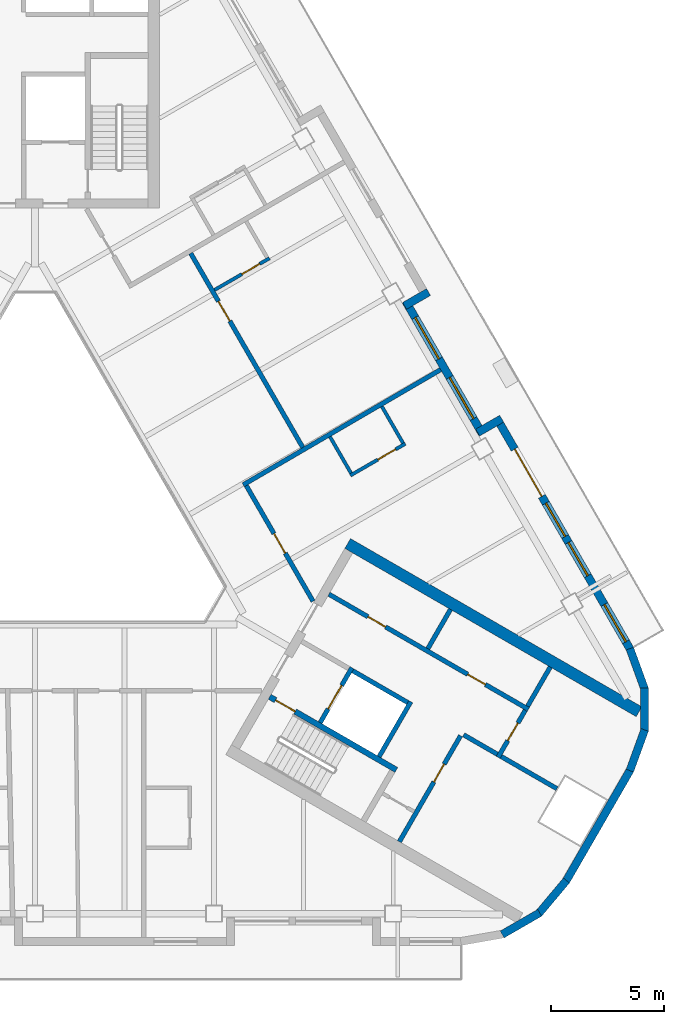
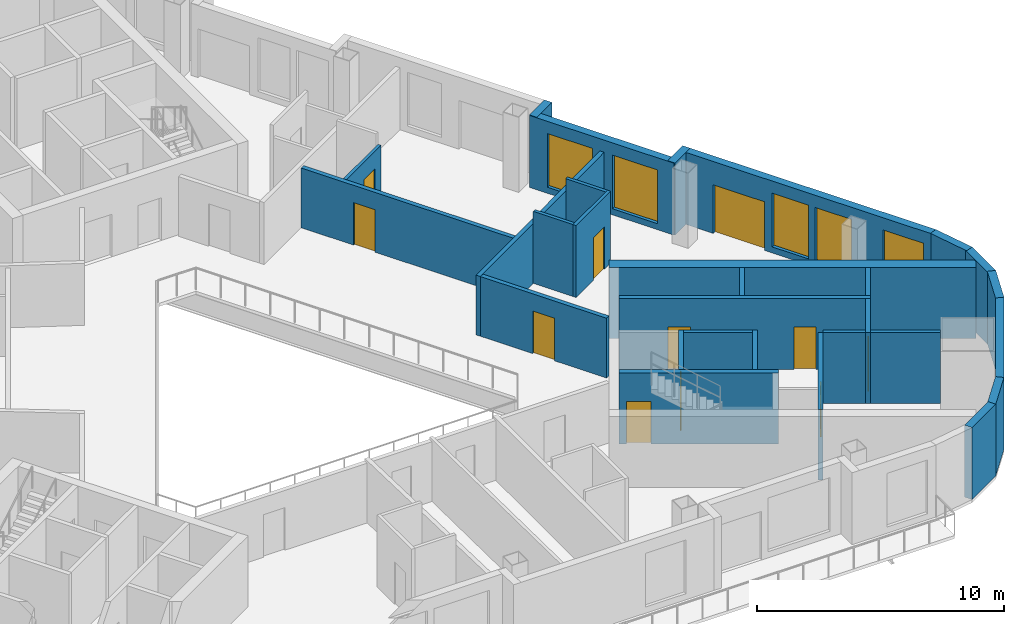
# One storey, part 5 of 13: 29 walls, 11 doors, 5 windows, 16 openings.
"""IFC4 building model written with IfcOpenShell, lengths in metres."""

import ifcopenshell
import ifcopenshell.guid

model = None  # the IFC model being written
_history = None  # IfcOwnerHistory: only IFC2X3 demands one
_inside = {}  # id of a spatial element -> (the spatial element, [elements in it])
_under = {}  # id of a project, library or spatial element -> (it, [spatial elements below it])
_declared = {}  # id of a project -> (the project, [libraries it declares])
_typed = {}  # id of a type object -> (the type object, [elements of that type])
_made_of = {}  # id of a material, layer set ... -> (it, [elements and type objects made of it])


def new_model(schema):
    """Start an empty IFC model of exactly this schema.

    Asked for "IFC4X3", IfcOpenShell would pick the latest addendum, in which some entities
    have other attributes; the version numbers below select the first issue.
    IFC2X3 requires an IfcOwnerHistory on every rooted entity: one is made here for all.
    """
    global model, _history
    if schema == "IFC4X3":
        model = ifcopenshell.file(schema_version=(4, 3, 0, 0))
    else:
        model = ifcopenshell.file(schema=schema)
    _inside.clear()
    _under.clear()
    _declared.clear()
    _typed.clear()
    _made_of.clear()
    _history = None
    if model.schema == "IFC2X3":
        org = make("IfcOrganization", Name="unknown")
        user = make(
            "IfcPersonAndOrganization",
            ThePerson=make("IfcPerson", FamilyName="unknown"),
            TheOrganization=org,
        )
        app = make(
            "IfcApplication",
            ApplicationDeveloper=org,
            Version="unknown",
            ApplicationFullName="unknown",
            ApplicationIdentifier="unknown",
        )
        _history = make(
            "IfcOwnerHistory",
            OwningUser=user,
            OwningApplication=app,
            ChangeAction="ADDED",
            CreationDate=0,
        )
    return model


def make(cls, **values):
    """One entity of the class cls with the attributes given. An attribute that is None is left unset."""
    return model.create_entity(
        cls, **{name: value for name, value in values.items() if value is not None}
    )


def rooted(cls, **values):
    """An entity with a GlobalId (a new one), such as an element, a storey or a relation."""
    return make(cls, GlobalId=ifcopenshell.guid.new(), OwnerHistory=_history, **values)


def si_unit(unit_type, name, prefix=None):
    """IfcSIUnit, for example si_unit("LENGTHUNIT", "METRE", prefix="MILLI")."""
    return make("IfcSIUnit", UnitType=unit_type, Prefix=prefix, Name=name)


def assignment(units):
    """IfcUnitAssignment: the units of a project."""
    return None if units is None else make("IfcUnitAssignment", Units=units)


def point(xyz):
    """IfcCartesianPoint."""
    return None if xyz is None else make("IfcCartesianPoint", Coordinates=xyz)


def direction(xyz):
    """IfcDirection."""
    return None if xyz is None else make("IfcDirection", DirectionRatios=xyz)


def frame(location, z_axis=None, x_axis=None):
    """IfcAxis2Placement3D, a coordinate frame: its origin and axes. An axis left out is left unset."""
    return make(
        "IfcAxis2Placement3D",
        Location=point(location),
        Axis=direction(z_axis),
        RefDirection=direction(x_axis),
    )


def frame_2d(location, x_axis=None):
    """IfcAxis2Placement2D, a coordinate frame in the plane: its origin and x axis."""
    return make(
        "IfcAxis2Placement2D", Location=point(location), RefDirection=direction(x_axis)
    )


def origin():
    """The frame at (0, 0, 0) with its axes left unset."""
    return frame((0.0, 0.0, 0.0))


def place(relative_to, where):
    """IfcLocalPlacement: puts the frame where relative to a parent placement (None: the world)."""
    return make(
        "IfcLocalPlacement", PlacementRelTo=relative_to, RelativePlacement=where
    )


def context(
    kind, dimensions, precision=None, world=None, true_north=None, identifier=None
):
    """IfcGeometricRepresentationContext, for example the 3D "Model" context."""
    return make(
        "IfcGeometricRepresentationContext",
        ContextIdentifier=identifier,
        ContextType=kind,
        CoordinateSpaceDimension=dimensions,
        Precision=precision,
        WorldCoordinateSystem=world,
        TrueNorth=true_north,
    )


def subcontext(parent, identifier, kind, view, scale=None):
    """IfcGeometricRepresentationSubContext, for example "Body" below "Model"."""
    return make(
        "IfcGeometricRepresentationSubContext",
        ContextIdentifier=identifier,
        ContextType=kind,
        ParentContext=parent,
        TargetScale=scale,
        TargetView=view,
    )


def project(units=None, contexts=None):
    """IfcProject with its units and contexts."""
    return rooted(
        "IfcProject",
        Name="project",
        RepresentationContexts=contexts,
        UnitsInContext=assignment(units),
    )


def spatial(cls, under=None, at=None, **own):
    """A site, building, storey or space (cls), placed at a placement, below another one or the project."""
    s = rooted(cls, ObjectPlacement=at, **own)
    if under is not None:
        _under.setdefault(under.id(), (under, []))[1].append(s)
    return s


def profile(cls, at=None, kind="AREA", **sizes):
    """A parametric profile (cls). Its sizes go by their IFC names, for example OverallWidth=200.0."""
    return make(cls, ProfileType=kind, Position=at, **sizes)


def rectangle(**sizes):
    """IfcRectangleProfileDef."""
    return profile("IfcRectangleProfileDef", **sizes)


def extrude(swept, where, along, depth):
    """IfcExtrudedAreaSolid: the profile swept, set in the frame where, extruded along a direction by depth."""
    return make(
        "IfcExtrudedAreaSolid",
        SweptArea=swept,
        Position=where,
        ExtrudedDirection=direction(along),
        Depth=depth,
    )


def shape(context_of_items, identifier, shape_type, items):
    """IfcShapeRepresentation: the items that make up one representation, for example the "Body"."""
    return make(
        "IfcShapeRepresentation",
        ContextOfItems=context_of_items,
        RepresentationIdentifier=identifier,
        RepresentationType=shape_type,
        Items=items,
    )


def material(Name=None, Category=None):
    """IfcMaterial."""
    return make("IfcMaterial", Name=Name, Category=Category)


def layer(
    of_material, thickness, ventilated=None, Name=None, Category=None, Priority=None
):
    """IfcMaterialLayer: one layer of a wall or slab, of a material (None: an air gap)."""
    return make(
        "IfcMaterialLayer",
        Material=of_material,
        LayerThickness=thickness,
        IsVentilated=ventilated,
        Name=Name,
        Category=Category,
        Priority=Priority,
    )


def layer_set(layers, Name=None):
    """IfcMaterialLayerSet."""
    return make("IfcMaterialLayerSet", MaterialLayers=layers, LayerSetName=Name)


def made_of(thing, what):
    """Note that an element or type object is made of a material, layer set ...; save() writes the relation."""
    if what is not None:
        _made_of.setdefault(what.id(), (what, []))[1].append(thing)
    return thing


def type_object(cls, material=None, **own):
    """A type object (cls), such as IfcWallType, which elements share."""
    return made_of(rooted(cls, **own), material)


def element(
    cls,
    number,
    at=None,
    inside=None,
    cuts=None,
    type_object=None,
    material=None,
    context=None,
    identifier="Body",
    shape_type=None,
    held_by="IfcProductDefinitionShape",
    body=None,
    shapes=None,
    **own,
):
    """One element of the class cls, such as IfcWall. Its Tag is "e" and its number.

    at: its placement. inside: the storey or other place that contains it. cuts: it is an
    opening in that element (IfcRelVoidsElement). A single representation is given by context,
    identifier, shape_type and body (its items); several are given by shapes. held_by: the class
    of the entity that holds the representations. save() writes the other relations.
    """
    e = rooted(cls, Tag="e%d" % number, ObjectPlacement=at, **own)
    if body is not None:
        shapes = [shape(context, identifier, shape_type, body)]
    if shapes is not None:
        e.Representation = make(held_by, Representations=shapes)
    if inside is not None:
        _inside.setdefault(inside.id(), (inside, []))[1].append(e)
    if cuts is not None:
        rooted(
            "IfcRelVoidsElement", RelatingBuildingElement=cuts, RelatedOpeningElement=e
        )
    if type_object is not None:
        _typed.setdefault(type_object.id(), (type_object, []))[1].append(e)
    return made_of(e, material)


def fill(opening, filler):
    """IfcRelFillsElement: the door or window that sits in an opening."""
    return rooted(
        "IfcRelFillsElement",
        RelatingOpeningElement=opening,
        RelatedBuildingElement=filler,
    )


def aggregate(whole, parts):
    """IfcRelAggregates: a whole, such as a stair, and the parts it consists of."""
    return rooted("IfcRelAggregates", RelatingObject=whole, RelatedObjects=parts)


def save(model, path):
    """Write the relations noted so far, then the file.

    IfcRelAggregates (storeys below a building ...), IfcRelContainedInSpatialStructure (elements
    in a storey), IfcRelDefinesByType, IfcRelAssociatesMaterial and IfcRelDeclares: one each for
    every whole, place, type object, material and project.
    """
    for whole, parts in _under.values():
        aggregate(whole, parts)
    for where, things in _inside.values():
        rooted(
            "IfcRelContainedInSpatialStructure",
            RelatedElements=things,
            RelatingStructure=where,
        )
    for kind, things in _typed.values():
        rooted("IfcRelDefinesByType", RelatedObjects=things, RelatingType=kind)
    for what, things in _made_of.values():
        rooted("IfcRelAssociatesMaterial", RelatedObjects=things, RelatingMaterial=what)
    for by, libraries in _declared.values():
        rooted("IfcRelDeclares", RelatingContext=by, RelatedDefinitions=libraries)
    model.write(path)


model = new_model("IFC4")

# Units and contexts
model_context = context("Model", 3, precision=1e-05, world=origin(), true_north=direction((0.0, 1.0)))
body_context = subcontext(model_context, "Body", "Model", "MODEL_VIEW")
ifc_project = project(units=[si_unit("LENGTHUNIT", "METRE"), si_unit("AREAUNIT", "SQUARE_METRE"), si_unit("VOLUMEUNIT", "CUBIC_METRE"), si_unit("PLANEANGLEUNIT", "RADIAN"), si_unit("MASSUNIT", "GRAM", prefix="KILO")], contexts=[model_context])

# Site, building, storey
site_placement = place(None, origin())
site = spatial("IfcSite", under=ifc_project, at=site_placement, CompositionType="ELEMENT")
building_placement = place(site_placement, origin())
building = spatial("IfcBuilding", under=site, at=building_placement, Name="Apuvela Tower Hotel", CompositionType="ELEMENT")
storey_placement = place(building_placement, frame((0.0, 0.0, 194.699951171875)))
storey = spatial("IfcBuildingStorey", under=building, at=storey_placement, Name="L47", CompositionType="ELEMENT", Elevation=194.699951171875)

# Wall
ifc_material_1 = material(Name="Concrete C50/60", Category="concrete")
ifc_layer_1 = layer(ifc_material_1, 0.5)
ifc_layer_set_1 = layer_set([ifc_layer_1], Name="COR-WALL-CORE-500")
wall_type_1 = type_object("IfcWallType", Name="COR-WALL-CORE-500", PredefinedType="SHEAR", material=ifc_layer_set_1)
wall_1_placement = place(storey_placement, frame((13.796630859375, -1.9033203125, 0.0), z_axis=(0.0, 0.0, 1.0), x_axis=(0.866025009528, -0.500000682871, 0.0)))
element("IfcWall", 1, at=wall_1_placement, inside=storey, type_object=wall_type_1, Name="Core wall SE", PredefinedType="SHEAR", context=body_context, shape_type="SweptSolid", body=[
    extrude(rectangle(XDim=14.8369140625, YDim=0.5, at=frame_2d((7.41845703125, 0.0))), origin(), (0.0, 0.0, 1.0), 3.5),
])

# Wall, opening, door
ifc_material_2 = material(Name="Blockwork 200 mm plastered", Category="masonry")
ifc_layer_2 = layer(ifc_material_2, 0.199951171875)
ifc_layer_set_2 = layer_set([ifc_layer_2], Name="COR-WALL-PART-200")
wall_type_2 = type_object("IfcWallType", Name="COR-WALL-PART-200", PredefinedType="PARTITIONING", material=ifc_layer_set_2)
wall_2_placement = place(storey_placement, frame((16.076171875, -15.05517578125, 0.0), z_axis=(0.0, 0.0, 1.0), x_axis=(0.499995103361, 0.866028230842, 0.0)))
wall_2 = element("IfcWall", 2, at=wall_2_placement, inside=storey, type_object=wall_type_2, Name="Partition SE", PredefinedType="PARTITIONING", context=body_context, shape_type="SweptSolid", body=[
    extrude(rectangle(XDim=5.39990234375, YDim=0.199951171875, at=frame_2d((2.699951171875, 0.0))), origin(), (0.0, 0.0, 1.0), 3.5),
])
opening_1_placement = place(wall_2_placement, frame((3.050048828125, 0.0, 0.0)))
opening_1 = element("IfcOpeningElement", 3, at=opening_1_placement, cuts=wall_2, Name="Opening E-RS1", PredefinedType="OPENING", context=body_context, shape_type="SweptSolid", body=[
    extrude(rectangle(XDim=0.89990234375, YDim=2.10009765625, at=frame_2d((0.449951171875, 1.050048828125))), frame((0.0, 0.10986328125, 0.0), z_axis=(0.0, -1.0, 0.0), x_axis=(1.0, 0.0, 0.0)), (0.0, 0.0, 1.0), 0.219970703125),
])
ifc_material_3 = material(Name="Steel fire door, powder coated", Category="steel")
door_type_1 = type_object("IfcDoorType", Name="COR-DR-900", OperationType="NOTDEFINED", PredefinedType="DOOR", material=ifc_material_3)
door_1_placement = place(opening_1_placement, frame((0.89990234375, 0.0, 0.0), z_axis=(0.0, 0.0, 1.0), x_axis=(-1.0, 0.0, 0.0)))
door_1 = element("IfcDoor", 4, at=door_1_placement, inside=storey, type_object=door_type_1, Name="Store door E-RS1", OperationType="SINGLE_SWING_LEFT", OverallHeight=2.10009765625, OverallWidth=0.89990234375, PredefinedType="DOOR", context=body_context, shape_type="SweptSolid", body=[
    extrude(rectangle(XDim=0.89990234375, YDim=2.10009765625, at=frame_2d((0.449951171875, 1.050048828125))), frame((0.0, 0.02490234375, 0.0), z_axis=(0.0, -1.0, 0.0), x_axis=(1.0, 0.0, 0.0)), (0.0, 0.0, 1.0), 0.050048828125),
])
fill(opening_1, door_1)

# Wall
ifc_layer_3 = layer(ifc_material_1, 0.199951171875)
ifc_layer_set_3 = layer_set([ifc_layer_3], Name="COR-WALL-SHAFT-200")
wall_type_3 = type_object("IfcWallType", Name="COR-WALL-SHAFT-200", PredefinedType="SHEAR", material=ifc_layer_set_3)
wall_3_placement = place(storey_placement, frame((15.181396484375, -11.305419921875, 0.0), z_axis=(0.0, 0.0, 1.0), x_axis=(0.49994636267, 0.866056369097, 0.0)))
element("IfcWall", 5, at=wall_3_placement, inside=storey, type_object=wall_type_3, Name="Shaft wall SE", PredefinedType="SHEAR", context=body_context, shape_type="SweptSolid", body=[
    extrude(rectangle(XDim=2.800048828125, YDim=0.199951171875, at=frame_2d((1.39990234375, 0.0))), origin(), (0.0, 0.0, 1.0), 3.5),
])

# Wall, opening, door
wall_4_placement = place(storey_placement, frame((12.583251953125, -9.805419921875, 0.0), z_axis=(0.0, 0.0, 1.0), x_axis=(0.49994636267, 0.866056369097, 0.0)))
wall_4 = element("IfcWall", 6, at=wall_4_placement, inside=storey, type_object=wall_type_3, Name="Shaft wall SE", PredefinedType="SHEAR", context=body_context, shape_type="SweptSolid", body=[
    extrude(rectangle(XDim=2.800048828125, YDim=0.199951171875, at=frame_2d((1.39990234375, 0.0))), origin(), (0.0, 0.0, 1.0), 3.5),
])
opening_2_placement = place(wall_4_placement, frame((0.699951171875, 0.0, 0.0)))
opening_2 = element("IfcOpeningElement", 7, at=opening_2_placement, cuts=wall_4, Name="Opening E-LD-FS3", PredefinedType="OPENING", context=body_context, shape_type="SweptSolid", body=[
    extrude(rectangle(XDim=1.199951171875, YDim=2.10009765625, at=frame_2d((0.60009765625, 1.050048828125))), frame((0.0, 0.10986328125, 0.0), z_axis=(0.0, -1.0, 0.0), x_axis=(1.0, 0.0, 0.0)), (0.0, 0.0, 1.0), 0.219970703125),
])
ifc_material_4 = material(Name="Stainless steel lift landing door", Category="steel")
door_type_2 = type_object("IfcDoorType", Name="COR-LD-1200", OperationType="DOUBLE_DOOR_SLIDING", PredefinedType="DOOR", material=ifc_material_4)
door_2_placement = place(opening_2_placement, origin())
door_2 = element("IfcDoor", 8, at=door_2_placement, inside=storey, type_object=door_type_2, Name="Lift landing door E-LD-FS3", OperationType="DOUBLE_DOOR_SLIDING", OverallHeight=2.10009765625, OverallWidth=1.199951171875, PredefinedType="DOOR", context=body_context, shape_type="SweptSolid", body=[
    extrude(rectangle(XDim=1.199951171875, YDim=2.10009765625, at=frame_2d((0.60009765625, 1.050048828125))), frame((0.0, 0.02490234375, 0.0), z_axis=(0.0, -1.0, 0.0), x_axis=(1.0, 0.0, 0.0)), (0.0, 0.0, 1.0), 0.050048828125),
])
fill(opening_2, door_2)

# Wall
wall_5_placement = place(storey_placement, frame((14.019775390625, -7.51708984375, 0.0), z_axis=(0.0, 0.0, 1.0), x_axis=(0.866034573852, -0.49998411664, 0.0)))
element("IfcWall", 9, at=wall_5_placement, inside=storey, type_object=wall_type_3, Name="Shaft wall SE", PredefinedType="SHEAR", context=body_context, shape_type="SweptSolid", body=[
    extrude(rectangle(XDim=2.7998046875, YDim=0.199951171875, at=frame_2d((1.39990234375, 0.0))), origin(), (0.0, 0.0, 1.0), 3.5),
])

# Wall, openings, doors
wall_6_placement = place(storey_placement, frame((12.968017578125, -4.138427734375, 0.0), z_axis=(0.0, 0.0, 1.0), x_axis=(0.866028328073, -0.49999493495, 0.0)))
wall_6 = element("IfcWall", 10, at=wall_6_placement, inside=storey, type_object=wall_type_3, Name="Shaft wall SE", PredefinedType="SHEAR", context=body_context, shape_type="SweptSolid", body=[
    extrude(rectangle(XDim=10.16015625, YDim=0.199951171875, at=frame_2d((5.080078125, 0.0))), origin(), (0.0, 0.0, 1.0), 3.5),
])
opening_3_placement = place(wall_6_placement, frame((1.989990234375, 0.0, 0.0)))
opening_3 = element("IfcOpeningElement", 11, at=opening_3_placement, cuts=wall_6, Name="Opening E-RE1", PredefinedType="OPENING", context=body_context, shape_type="SweptSolid", body=[
    extrude(rectangle(XDim=0.89990234375, YDim=2.10009765625, at=frame_2d((0.449951171875, 1.050048828125))), frame((0.0, 0.10986328125, 0.0), z_axis=(0.0, -1.0, 0.0), x_axis=(1.0, 0.0, 0.0)), (0.0, 0.0, 1.0), 0.219970703125),
])
opening_4_placement = place(wall_6_placement, frame((7.070068359375, 0.0, 0.0)))
opening_4 = element("IfcOpeningElement", 12, at=opening_4_placement, cuts=wall_6, Name="Opening E-RE3", PredefinedType="OPENING", context=body_context, shape_type="SweptSolid", body=[
    extrude(rectangle(XDim=0.89990234375, YDim=2.10009765625, at=frame_2d((0.449951171875, 1.050048828125))), frame((0.0, 0.10986328125, 0.0), z_axis=(0.0, -1.0, 0.0), x_axis=(1.0, 0.0, 0.0)), (0.0, 0.0, 1.0), 0.219970703125),
])
door_3_placement = place(opening_3_placement, origin())
door_3 = element("IfcDoor", 13, at=door_3_placement, inside=storey, type_object=door_type_1, Name="Store door E-RE1", OperationType="SINGLE_SWING_LEFT", OverallHeight=2.10009765625, OverallWidth=0.89990234375, PredefinedType="DOOR", context=body_context, shape_type="SweptSolid", body=[
    extrude(rectangle(XDim=0.89990234375, YDim=2.10009765625, at=frame_2d((0.449951171875, 1.050048828125))), frame((0.0, 0.02490234375, 0.0), z_axis=(0.0, -1.0, 0.0), x_axis=(1.0, 0.0, 0.0)), (0.0, 0.0, 1.0), 0.050048828125),
])
fill(opening_3, door_3)
door_4_placement = place(opening_4_placement, origin())
door_4 = element("IfcDoor", 14, at=door_4_placement, inside=storey, type_object=door_type_1, Name="Store door E-RE3", OperationType="SINGLE_SWING_LEFT", OverallHeight=2.10009765625, OverallWidth=0.89990234375, PredefinedType="DOOR", context=body_context, shape_type="SweptSolid", body=[
    extrude(rectangle(XDim=0.89990234375, YDim=2.10009765625, at=frame_2d((0.449951171875, 1.050048828125))), frame((0.0, 0.02490234375, 0.0), z_axis=(0.0, -1.0, 0.0), x_axis=(1.0, 0.0, 0.0)), (0.0, 0.0, 1.0), 0.050048828125),
])
fill(opening_4, door_4)

# Wall, opening, door
wall_7_placement = place(storey_placement, frame((20.430419921875, -11.33349609375, 0.0), z_axis=(0.0, 0.0, 1.0), x_axis=(0.500001309137, 0.866024647952, 0.0)))
wall_7 = element("IfcWall", 15, at=wall_7_placement, inside=storey, type_object=wall_type_3, Name="Shaft wall SE", PredefinedType="SHEAR", context=body_context, shape_type="SweptSolid", body=[
    extrude(rectangle(XDim=2.39990234375, YDim=0.199951171875, at=frame_2d((1.199951171875, 0.0))), origin(), (0.0, 0.0, 1.0), 3.5),
])
opening_5_placement = place(wall_7_placement, frame((0.85009765625, 0.0, 0.0)))
opening_5 = element("IfcOpeningElement", 16, at=opening_5_placement, cuts=wall_7, Name="Opening E-REP", PredefinedType="OPENING", context=body_context, shape_type="SweptSolid", body=[
    extrude(rectangle(XDim=0.89990234375, YDim=2.10009765625, at=frame_2d((0.449951171875, 1.050048828125))), frame((0.0, 0.10986328125, 0.0), z_axis=(0.0, -1.0, 0.0), x_axis=(1.0, 0.0, 0.0)), (0.0, 0.0, 1.0), 0.219970703125),
])
door_5_placement = place(opening_5_placement, frame((0.89990234375, 0.0, 0.0), z_axis=(0.0, 0.0, 1.0), x_axis=(-1.0, 0.0, 0.0)))
door_5 = element("IfcDoor", 17, at=door_5_placement, inside=storey, type_object=door_type_1, Name="Store door E-REP", OperationType="SINGLE_SWING_RIGHT", OverallHeight=2.10009765625, OverallWidth=0.89990234375, PredefinedType="DOOR", context=body_context, shape_type="SweptSolid", body=[
    extrude(rectangle(XDim=0.89990234375, YDim=2.10009765625, at=frame_2d((0.449951171875, 1.050048828125))), frame((0.0, 0.02490234375, 0.0), z_axis=(0.0, -1.0, 0.0), x_axis=(1.0, 0.0, 0.0)), (0.0, 0.0, 1.0), 0.050048828125),
])
fill(opening_5, door_5)

# Walls
wall_8_placement = place(storey_placement, frame((18.912841796875, -10.342041015625, 0.0), z_axis=(0.0, 0.0, 1.0), x_axis=(0.866038183914, -0.499977863513, 0.0)))
element("IfcWall", 18, at=wall_8_placement, inside=storey, type_object=wall_type_3, Name="Shaft wall SE", PredefinedType="SHEAR", context=body_context, shape_type="SweptSolid", body=[
    extrude(rectangle(XDim=1.7099609375, YDim=0.199951171875, at=frame_2d((0.85498046875, 0.0))), origin(), (0.0, 0.0, 1.0), 3.5),
])
for number, where, z_axis, x_axis, name in (
    (19, (17.330810546875, -6.5419921875, 0.0), (0.0, 0.0, 1.0), (0.499972520799, 0.866041268327, 0.0), "Shaft wall SE"),
    (20, (21.73046875, -9.081787109375, 0.0), (0.0, 0.0, 1.0), (0.50002537861, 0.866010750942, 0.0), "Shaft wall SE"),
):
    element("IfcWall", number, at=place(storey_placement, frame(where, z_axis=z_axis, x_axis=x_axis)), inside=storey, type_object=wall_type_3, Name=name, PredefinedType="SHEAR", context=body_context, shape_type="SweptSolid", body=[
        extrude(rectangle(XDim=2.0, YDim=0.199951171875, at=frame_2d((1.0, 0.0))), origin(), (0.0, 0.0, 1.0), 3.5),
    ])
wall_9_placement = place(storey_placement, frame((20.56689453125, -11.297119140625, 0.0), z_axis=(0.0, 0.0, 1.0), x_axis=(0.866055327414, -0.49994816717, 0.0)))
element("IfcWall", 21, at=wall_9_placement, inside=storey, type_object=wall_type_3, Name="Shaft wall SE", PredefinedType="SHEAR", context=body_context, shape_type="SweptSolid", body=[
    extrude(rectangle(XDim=2.840087890625, YDim=0.199951171875, at=frame_2d((1.419921875, 0.0))), origin(), (0.0, 0.0, 1.0), 3.5),
])

# Wall, opening, door
ifc_layer_4 = layer(ifc_material_1, 0.25)
ifc_layer_set_4 = layer_set([ifc_layer_4], Name="COR-WALL-STAIR-250")
wall_type_4 = type_object("IfcWallType", Name="COR-WALL-STAIR-250", PredefinedType="SHEAR", material=ifc_layer_set_4)
wall_10_placement = place(storey_placement, frame((10.355712890625, -8.66357421875, 0.0), z_axis=(0.0, 0.0, 1.0), x_axis=(0.866028629588, -0.499994412703, 0.0)))
wall_10 = element("IfcWall", 22, at=wall_10_placement, inside=storey, type_object=wall_type_4, Name="Stair wall SE", PredefinedType="SHEAR", context=body_context, shape_type="SweptSolid", body=[
    extrude(rectangle(XDim=6.44970703125, YDim=0.25, at=frame_2d((3.224853515625, 0.0))), origin(), (0.0, 0.0, 1.0), 3.5),
])
opening_6_placement = place(wall_10_placement, frame((0.300048828125, 0.0, 0.0)))
opening_6 = element("IfcOpeningElement", 23, at=opening_6_placement, cuts=wall_10, Name="Opening E-SD", PredefinedType="OPENING", context=body_context, shape_type="SweptSolid", body=[
    extrude(rectangle(XDim=1.0, YDim=2.10009765625, at=frame_2d((0.5, 1.050048828125))), frame((0.0, 0.135009765625, 0.0), z_axis=(0.0, -1.0, 0.0), x_axis=(1.0, 0.0, 0.0)), (0.0, 0.0, 1.0), 0.27001953125),
])
door_type_3 = type_object("IfcDoorType", Name="COR-SD-1000", OperationType="NOTDEFINED", PredefinedType="DOOR", material=ifc_material_3)
door_6_placement = place(opening_6_placement, frame((1.0, 0.0, 0.0), z_axis=(0.0, 0.0, 1.0), x_axis=(-1.0, 0.0, 0.0)))
door_6 = element("IfcDoor", 24, at=door_6_placement, inside=storey, type_object=door_type_3, Name="Stair door E-SD", OperationType="SINGLE_SWING_LEFT", OverallHeight=2.10009765625, OverallWidth=1.0, PredefinedType="DOOR", context=body_context, shape_type="SweptSolid", body=[
    extrude(rectangle(XDim=1.0, YDim=2.10009765625, at=frame_2d((0.5, 1.050048828125))), frame((0.0, 0.02490234375, 0.0), z_axis=(0.0, -1.0, 0.0), x_axis=(1.0, 0.0, 0.0)), (0.0, 0.0, 1.0), 0.050048828125),
])
fill(opening_6, door_6)

# Walls
ifc_material_5 = material(Name="Concrete C40/50, dark pigmented precast panel", Category="concrete")
ifc_layer_5 = layer(ifc_material_5, 0.35009765625)
ifc_layer_set_5 = layer_set([ifc_layer_5], Name="ENV-WALL-350")
wall_type_5 = type_object("IfcWallType", Name="ENV-WALL-350", PredefinedType="SOLIDWALL", material=ifc_layer_set_5)
for number, where, z_axis, x_axis, name in (
    (25, (20.609619140625, -19.146728515625, 0.0), (0.0, 0.0, 1.0), (0.866000389056, 0.500043324278, 0.0), "External wall L47-27"),
    (26, (22.21728515625, -18.230712890625, 0.0), (0.0, 0.0, 1.0), (0.642733291068, 0.76609001857, 0.0), "External wall L47-28"),
):
    element("IfcWall", number, at=place(storey_placement, frame(where, z_axis=z_axis, x_axis=x_axis)), inside=storey, type_object=wall_type_5, Name=name, PredefinedType="SOLIDWALL", context=body_context, shape_type="SweptSolid", body=[
        extrude(rectangle(XDim=1.909912109375, YDim=0.35009765625, at=frame_2d((0.955078125, 0.0))), origin(), (0.0, 0.0, 1.0), 3.550048828125),
    ])
wall_11_placement = place(storey_placement, frame((23.427490234375, -16.79248046875, 0.0), z_axis=(0.0, 0.0, 1.0), x_axis=(0.500018773155, 0.866014564827, 0.0)))
element("IfcWall", 27, at=wall_11_placement, inside=storey, type_object=wall_type_5, Name="External wall L47-29", PredefinedType="SOLIDWALL", context=body_context, shape_type="SweptSolid", body=[
    extrude(rectangle(XDim=5.657958984375, YDim=0.35009765625, at=frame_2d((2.8291015625, 0.0))), origin(), (0.0, 0.0, 1.0), 3.550048828125),
])
for number, where, z_axis, x_axis, name in (
    (28, (26.24365234375, -11.920166015625, 0.0), (0.0, 0.0, 1.0), (0.342030395486, 0.939688889242, 0.0), "External wall L47-30"),
    (29, (26.88623046875, -10.18505859375, 0.0), (0.0, 0.0, 1.0), (0.0, 1.0, 0.0), "External wall L47-31"),
    (30, (26.89697265625, -8.334716796875, 0.0), (0.0, 0.0, 1.0), (-0.342030395486, 0.939688889242, 0.0), "External wall L47-32"),
):
    element("IfcWall", number, at=place(storey_placement, frame(where, z_axis=z_axis, x_axis=x_axis)), inside=storey, type_object=wall_type_5, Name=name, PredefinedType="SOLIDWALL", context=body_context, shape_type="SweptSolid", body=[
        extrude(rectangle(XDim=1.91015625, YDim=0.35009765625, at=frame_2d((0.955078125, 0.0))), origin(), (0.0, 0.0, 1.0), 3.550048828125),
    ])

# Wall, openings, door, windows
wall_12_placement = place(storey_placement, frame((26.256591796875, -6.5673828125, 0.0), z_axis=(0.0, 0.0, 1.0), x_axis=(-0.500023526245, 0.866011820475, 0.0)))
wall_12 = element("IfcWall", 31, at=wall_12_placement, inside=storey, type_object=wall_type_5, Name="External wall L47-33", PredefinedType="SOLIDWALL", context=body_context, shape_type="SweptSolid", body=[
    extrude(rectangle(XDim=11.81591796875, YDim=0.35009765625, at=frame_2d((5.907958984375, 0.0))), origin(), (0.0, 0.0, 1.0), 3.550048828125),
])
opening_7_placement = place(wall_12_placement, frame((0.380126953125, 0.0, 0.300048828125)))
opening_7 = element("IfcOpeningElement", 32, at=opening_7_placement, cuts=wall_12, Name="Opening WN19", PredefinedType="OPENING", context=body_context, shape_type="SweptSolid", body=[
    extrude(rectangle(XDim=1.89990234375, YDim=2.64990234375, at=frame_2d((0.949951171875, 1.324951171875))), frame((0.0, 0.18505859375, 0.0), z_axis=(0.0, -1.0, 0.0), x_axis=(1.0, 0.0, 0.0)), (0.0, 0.0, 1.0), 0.3701171875),
])
opening_8_placement = place(wall_12_placement, frame((7.791015625, 0.0, 0.0)))
opening_8 = element("IfcOpeningElement", 33, at=opening_8_placement, cuts=wall_12, Name="Opening BD24", PredefinedType="OPENING", context=body_context, shape_type="SweptSolid", body=[
    extrude(rectangle(XDim=2.39990234375, YDim=2.39990234375, at=frame_2d((1.199951171875, 1.199951171875))), frame((0.0, 0.18505859375, 0.0), z_axis=(0.0, -1.0, 0.0), x_axis=(1.0, 0.0, 0.0)), (0.0, 0.0, 1.0), 0.3701171875),
])
opening_9_placement = place(wall_12_placement, frame((3.74072265625, 0.0, 0.300048828125)))
opening_9 = element("IfcOpeningElement", 34, at=opening_9_placement, cuts=wall_12, Name="Opening WN17", PredefinedType="OPENING", context=body_context, shape_type="SweptSolid", body=[
    extrude(rectangle(XDim=1.699951171875, YDim=2.64990234375, at=frame_2d((0.85009765625, 1.324951171875))), frame((0.0, 0.18505859375, 0.0), z_axis=(0.0, -1.0, 0.0), x_axis=(1.0, 0.0, 0.0)), (0.0, 0.0, 1.0), 0.3701171875),
])
opening_10_placement = place(wall_12_placement, frame((5.74072265625, 0.0, 0.300048828125)))
opening_10 = element("IfcOpeningElement", 35, at=opening_10_placement, cuts=wall_12, Name="Opening WN17", PredefinedType="OPENING", context=body_context, shape_type="SweptSolid", body=[
    extrude(rectangle(XDim=1.699951171875, YDim=2.64990234375, at=frame_2d((0.85009765625, 1.324951171875))), frame((0.0, 0.18505859375, 0.0), z_axis=(0.0, -1.0, 0.0), x_axis=(1.0, 0.0, 0.0)), (0.0, 0.0, 1.0), 0.3701171875),
])
ifc_material_6 = material(Name="Aluminium 6063-T6, dark bronze anodised frame with dark tinted laminated glass", Category="aluminium")
door_type_4 = type_object("IfcDoorType", Name="ENV-DOOR-BALCONY-2400x2400", OperationType="SLIDING_TO_LEFT", PredefinedType="DOOR", material=ifc_material_6)
door_7_placement = place(opening_8_placement, frame((2.39990234375, 0.0, 0.0), z_axis=(0.0, 0.0, 1.0), x_axis=(-1.0, 0.0, 0.0)))
door_7 = element("IfcDoor", 36, at=door_7_placement, inside=storey, type_object=door_type_4, Name="Balcony door BD24", OperationType="SLIDING_TO_LEFT", OverallHeight=2.39990234375, OverallWidth=2.39990234375, PredefinedType="DOOR", context=body_context, shape_type="SweptSolid", body=[
    extrude(rectangle(XDim=2.39990234375, YDim=2.39990234375, at=frame_2d((1.199951171875, 1.199951171875))), frame((0.0, 0.02490234375, 0.0), z_axis=(0.0, -1.0, 0.0), x_axis=(1.0, 0.0, 0.0)), (0.0, 0.0, 1.0), 0.050048828125),
])
fill(opening_8, door_7)
ifc_material_7 = material(Name="Glass, dark tinted laminated insulated glazing unit", Category="glass")
window_type_1 = type_object("IfcWindowType", Name="ENV-WIN-1700x2650", PartitioningType="SINGLE_PANEL", PredefinedType="WINDOW", material=ifc_material_7)
window_1_placement = place(opening_9_placement, origin())
window_1 = element("IfcWindow", 37, at=window_1_placement, inside=storey, type_object=window_type_1, Name="Window WN17", OverallHeight=2.64990234375, OverallWidth=1.699951171875, PartitioningType="SINGLE_PANEL", PredefinedType="WINDOW", context=body_context, shape_type="SweptSolid", body=[
    extrude(rectangle(XDim=1.699951171875, YDim=2.64990234375, at=frame_2d((0.85009765625, 1.324951171875))), frame((0.0, 0.030029296875, 0.0), z_axis=(0.0, -1.0, 0.0), x_axis=(1.0, 0.0, 0.0)), (0.0, 0.0, 1.0), 0.06005859375),
])
fill(opening_9, window_1)
window_2_placement = place(opening_10_placement, origin())
window_2 = element("IfcWindow", 38, at=window_2_placement, inside=storey, type_object=window_type_1, Name="Window WN17", OverallHeight=2.64990234375, OverallWidth=1.699951171875, PartitioningType="SINGLE_PANEL", PredefinedType="WINDOW", context=body_context, shape_type="SweptSolid", body=[
    extrude(rectangle(XDim=1.699951171875, YDim=2.64990234375, at=frame_2d((0.85009765625, 1.324951171875))), frame((0.0, 0.030029296875, 0.0), z_axis=(0.0, -1.0, 0.0), x_axis=(1.0, 0.0, 0.0)), (0.0, 0.0, 1.0), 0.06005859375),
])
fill(opening_10, window_2)
window_type_2 = type_object("IfcWindowType", Name="ENV-WIN-1900x2650", PartitioningType="SINGLE_PANEL", PredefinedType="WINDOW", material=ifc_material_7)
window_3_placement = place(opening_7_placement, origin())
window_3 = element("IfcWindow", 39, at=window_3_placement, inside=storey, type_object=window_type_2, Name="Window WN19", OverallHeight=2.64990234375, OverallWidth=1.89990234375, PartitioningType="SINGLE_PANEL", PredefinedType="WINDOW", context=body_context, shape_type="SweptSolid", body=[
    extrude(rectangle(XDim=1.89990234375, YDim=2.64990234375, at=frame_2d((0.949951171875, 1.324951171875))), frame((0.0, 0.030029296875, 0.0), z_axis=(0.0, -1.0, 0.0), x_axis=(1.0, 0.0, 0.0)), (0.0, 0.0, 1.0), 0.06005859375),
])
fill(opening_7, window_3)

# Wall
wall_13_placement = place(storey_placement, frame((20.587646484375, 3.601318359375, 0.0), z_axis=(0.0, 0.0, 1.0), x_axis=(-0.866005645448, -0.500034220881, 0.0)))
element("IfcWall", 40, at=wall_13_placement, inside=storey, type_object=wall_type_5, Name="External wall L47-34", PredefinedType="SOLIDWALL", context=body_context, shape_type="SweptSolid", body=[
    extrude(rectangle(XDim=1.22021484375, YDim=0.35009765625, at=frame_2d((0.610107421875, 0.0))), origin(), (0.0, 0.0, 1.0), 3.550048828125),
])

# Wall, openings, windows
wall_14_placement = place(storey_placement, frame((19.72900390625, 2.93798828125, 0.0), z_axis=(0.0, 0.0, 1.0), x_axis=(-0.499976430342, 0.866039011305, 0.0)))
wall_14 = element("IfcWall", 41, at=wall_14_placement, inside=storey, type_object=wall_type_5, Name="External wall L47-35", PredefinedType="SOLIDWALL", context=body_context, shape_type="SweptSolid", body=[
    extrude(rectangle(XDim=6.739990234375, YDim=0.35009765625, at=frame_2d((3.3701171875, 0.0))), origin(), (0.0, 0.0, 1.0), 3.550048828125),
])
opening_11_placement = place(wall_14_placement, frame((0.77001953125, 0.0, 0.300048828125)))
opening_11 = element("IfcOpeningElement", 42, at=opening_11_placement, cuts=wall_14, Name="Opening WN21", PredefinedType="OPENING", context=body_context, shape_type="SweptSolid", body=[
    extrude(rectangle(XDim=2.10009765625, YDim=2.64990234375, at=frame_2d((1.050048828125, 1.324951171875))), frame((0.0, 0.18505859375, 0.0), z_axis=(0.0, -1.0, 0.0), x_axis=(1.0, 0.0, 0.0)), (0.0, 0.0, 1.0), 0.3701171875),
])
opening_12_placement = place(wall_14_placement, frame((3.815185546875, 0.0, 0.300048828125)))
opening_12 = element("IfcOpeningElement", 43, at=opening_12_placement, cuts=wall_14, Name="Opening WN21", PredefinedType="OPENING", context=body_context, shape_type="SweptSolid", body=[
    extrude(rectangle(XDim=2.10009765625, YDim=2.64990234375, at=frame_2d((1.050048828125, 1.324951171875))), frame((0.0, 0.18505859375, 0.0), z_axis=(0.0, -1.0, 0.0), x_axis=(1.0, 0.0, 0.0)), (0.0, 0.0, 1.0), 0.3701171875),
])
window_type_3 = type_object("IfcWindowType", Name="ENV-WIN-2100x2650", PartitioningType="SINGLE_PANEL", PredefinedType="WINDOW", material=ifc_material_7)
window_4_placement = place(opening_11_placement, origin())
window_4 = element("IfcWindow", 44, at=window_4_placement, inside=storey, type_object=window_type_3, Name="Window WN21", OverallHeight=2.64990234375, OverallWidth=2.10009765625, PartitioningType="SINGLE_PANEL", PredefinedType="WINDOW", context=body_context, shape_type="SweptSolid", body=[
    extrude(rectangle(XDim=2.10009765625, YDim=2.64990234375, at=frame_2d((1.050048828125, 1.324951171875))), frame((0.0, 0.030029296875, 0.0), z_axis=(0.0, -1.0, 0.0), x_axis=(1.0, 0.0, 0.0)), (0.0, 0.0, 1.0), 0.06005859375),
])
fill(opening_11, window_4)
window_5_placement = place(opening_12_placement, origin())
window_5 = element("IfcWindow", 45, at=window_5_placement, inside=storey, type_object=window_type_3, Name="Window WN21", OverallHeight=2.64990234375, OverallWidth=2.10009765625, PartitioningType="SINGLE_PANEL", PredefinedType="WINDOW", context=body_context, shape_type="SweptSolid", body=[
    extrude(rectangle(XDim=2.10009765625, YDim=2.64990234375, at=frame_2d((1.050048828125, 1.324951171875))), frame((0.0, 0.030029296875, 0.0), z_axis=(0.0, -1.0, 0.0), x_axis=(1.0, 0.0, 0.0)), (0.0, 0.0, 1.0), 0.06005859375),
])
fill(opening_12, window_5)

# Walls
wall_15_placement = place(storey_placement, frame((16.305908203125, 8.5771484375, 0.0), z_axis=(0.0, 0.0, 1.0), x_axis=(0.866092288191, 0.499884134912, 0.0)))
element("IfcWall", 46, at=wall_15_placement, inside=storey, type_object=wall_type_5, Name="External wall L47-36", PredefinedType="SOLIDWALL", context=body_context, shape_type="SweptSolid", body=[
    extrude(rectangle(XDim=1.219970703125, YDim=0.35009765625, at=frame_2d((0.60986328125, 0.0))), origin(), (0.0, 0.0, 1.0), 3.550048828125),
])
ifc_material_8 = material(Name="Gypsum board partition on twin steel stud", Category="steel")
ifc_layer_6 = layer(ifc_material_8, 0.199951171875)
ifc_layer_set_6 = layer_set([ifc_layer_6], Name="GST-PW1")
wall_type_6 = type_object("IfcWallType", Name="GST-PW1", PredefinedType="PARTITIONING", material=ifc_layer_set_6)
wall_16_placement = place(storey_placement, frame((17.894775390625, 5.765625, 0.0), z_axis=(0.0, 0.0, 1.0), x_axis=(-0.863697195261, -0.504011066246, 0.0)))
element("IfcWall", 47, at=wall_16_placement, inside=storey, type_object=wall_type_6, Name="L47 partition 03", PredefinedType="PARTITIONING", context=body_context, shape_type="SweptSolid", body=[
    extrude(rectangle(XDim=10.080322265625, YDim=0.199951171875, at=frame_2d((5.0400390625, 0.0))), origin(), (0.0, 0.0, 1.0), 2.949951171875),
])

# Wall, opening, door
ifc_material_9 = material(Name="Gypsum board corridor wall on twin steel stud, acoustic", Category="steel")
ifc_layer_7 = layer(ifc_material_9, 0.199951171875)
ifc_layer_set_7 = layer_set([ifc_layer_7], Name="GST-PW2")
wall_type_7 = type_object("IfcWallType", Name="GST-PW2", PredefinedType="PARTITIONING", material=ifc_layer_set_7)
wall_17_placement = place(storey_placement, frame((9.32470703125, 0.64892578125, 0.0), z_axis=(0.0, 0.0, 1.0), x_axis=(0.500032331163, -0.866006736574, 0.0)))
wall_17 = element("IfcWall", 48, at=wall_17_placement, inside=storey, type_object=wall_type_7, Name="L47 partition 18", PredefinedType="PARTITIONING", context=body_context, shape_type="SweptSolid", body=[
    extrude(rectangle(XDim=5.8876953125, YDim=0.199951171875, at=frame_2d((2.94384765625, 0.0))), origin(), (0.0, 0.0, 1.0), 2.949951171875),
])
opening_13_placement = place(wall_17_placement, frame((2.44384765625, 0.0, 0.0)))
opening_13 = element("IfcOpeningElement", 49, at=opening_13_placement, cuts=wall_17, Name="Opening GD18-08", PredefinedType="OPENING", context=body_context, shape_type="SweptSolid", body=[
    extrude(rectangle(XDim=1.0, YDim=2.10009765625, at=frame_2d((0.5, 1.050048828125))), frame((0.0, 0.10986328125, 0.0), z_axis=(0.0, -1.0, 0.0), x_axis=(1.0, 0.0, 0.0)), (0.0, 0.0, 1.0), 0.219970703125),
])
ifc_material_10 = material(Name="Timber door leaf in steel frame", Category="steel")
door_type_5 = type_object("IfcDoorType", Name="GST-D1", OperationType="NOTDEFINED", PredefinedType="DOOR", material=ifc_material_10)
door_8_placement = place(opening_13_placement, origin())
door_8 = element("IfcDoor", 50, at=door_8_placement, inside=storey, type_object=door_type_5, Name="Door L47-08", OperationType="SINGLE_SWING_LEFT", OverallHeight=2.10009765625, OverallWidth=1.0, PredefinedType="DOOR", context=body_context, shape_type="SweptSolid", body=[
    extrude(rectangle(XDim=1.0, YDim=2.10009765625, at=frame_2d((0.5, 1.050048828125))), frame((0.0, 0.02490234375, 0.0), z_axis=(0.0, -1.0, 0.0), x_axis=(1.0, 0.0, 0.0)), (0.0, 0.0, 1.0), 0.050048828125),
])
fill(opening_13, door_8)

wall_18_placement = place(storey_placement, frame((6.872802734375, 10.896240234375, 0.0), z_axis=(0.0, 0.0, 1.0), x_axis=(0.499987518031, -0.866032610133, 0.0)))
wall_18 = element("IfcWall", 51, at=wall_18_placement, inside=storey, type_object=wall_type_7, Name="L47 partition 22", PredefinedType="PARTITIONING", context=body_context, shape_type="SweptSolid", body=[
    extrude(rectangle(XDim=9.886474609375, YDim=0.199951171875, at=frame_2d((4.943359375, 0.0))), origin(), (0.0, 0.0, 1.0), 2.949951171875),
])
opening_14_placement = place(wall_18_placement, frame((2.449951171875, 0.0, 0.0)))
opening_14 = element("IfcOpeningElement", 52, at=opening_14_placement, cuts=wall_18, Name="Opening GD18-10", PredefinedType="OPENING", context=body_context, shape_type="SweptSolid", body=[
    extrude(rectangle(XDim=1.0, YDim=2.10009765625, at=frame_2d((0.5, 1.050048828125))), frame((0.0, 0.10986328125, 0.0), z_axis=(0.0, -1.0, 0.0), x_axis=(1.0, 0.0, 0.0)), (0.0, 0.0, 1.0), 0.219970703125),
])
door_9_placement = place(opening_14_placement, origin())
door_9 = element("IfcDoor", 53, at=door_9_placement, inside=storey, type_object=door_type_5, Name="Door L47-10", OperationType="SINGLE_SWING_RIGHT", OverallHeight=2.10009765625, OverallWidth=1.0, PredefinedType="DOOR", context=body_context, shape_type="SweptSolid", body=[
    extrude(rectangle(XDim=1.0, YDim=2.10009765625, at=frame_2d((0.5, 1.050048828125))), frame((0.0, 0.02490234375, 0.0), z_axis=(0.0, -1.0, 0.0), x_axis=(1.0, 0.0, 0.0)), (0.0, 0.0, 1.0), 0.050048828125),
])
fill(opening_14, door_9)

ifc_material_11 = material(Name="Moisture-resistant gypsum board wet wall on steel stud", Category="steel")
ifc_layer_8 = layer(ifc_material_11, 0.14990234375)
ifc_layer_set_8 = layer_set([ifc_layer_8], Name="GST-PW3")
wall_type_8 = type_object("IfcWallType", Name="GST-PW3", PredefinedType="PARTITIONING", material=ifc_layer_set_8)
wall_19_placement = place(storey_placement, frame((13.914794921875, 1.0986328125, 0.0), z_axis=(0.0, 0.0, 1.0), x_axis=(0.866018616679, 0.500011755427, 0.0)))
wall_19 = element("IfcWall", 54, at=wall_19_placement, inside=storey, type_object=wall_type_8, Name="L47 partition 19", PredefinedType="PARTITIONING", context=body_context, shape_type="SweptSolid", body=[
    extrude(rectangle(XDim=2.80029296875, YDim=0.14990234375, at=frame_2d((1.400146484375, 0.0))), origin(), (0.0, 0.0, 1.0), 3.550048828125),
])
opening_15_placement = place(wall_19_placement, frame((1.39990234375, 0.0, 0.0)))
opening_15 = element("IfcOpeningElement", 55, at=opening_15_placement, cuts=wall_19, Name="Opening GD18-07", PredefinedType="OPENING", context=body_context, shape_type="SweptSolid", body=[
    extrude(rectangle(XDim=0.89990234375, YDim=2.10009765625, at=frame_2d((0.449951171875, 1.050048828125))), frame((0.0, 0.0849609375, 0.0), z_axis=(0.0, -1.0, 0.0), x_axis=(1.0, 0.0, 0.0)), (0.0, 0.0, 1.0), 0.169921875),
])
door_type_6 = type_object("IfcDoorType", Name="GST-D2", OperationType="NOTDEFINED", PredefinedType="DOOR", material=ifc_material_10)
door_10_placement = place(opening_15_placement, origin())
door_10 = element("IfcDoor", 56, at=door_10_placement, inside=storey, type_object=door_type_6, Name="Door L47-07", OperationType="SINGLE_SWING_RIGHT", OverallHeight=2.10009765625, OverallWidth=0.89990234375, PredefinedType="DOOR", context=body_context, shape_type="SweptSolid", body=[
    extrude(rectangle(XDim=0.89990234375, YDim=2.10009765625, at=frame_2d((0.449951171875, 1.050048828125))), frame((0.0, 0.02490234375, 0.0), z_axis=(0.0, -1.0, 0.0), x_axis=(1.0, 0.0, 0.0)), (0.0, 0.0, 1.0), 0.050048828125),
])
fill(opening_15, door_10)

# Walls
wall_20_placement = place(storey_placement, frame((16.2373046875, 2.526123046875, 0.0), z_axis=(0.0, 0.0, 1.0), x_axis=(-0.500043919151, 0.866000045566, 0.0)))
element("IfcWall", 57, at=wall_20_placement, inside=storey, type_object=wall_type_8, Name="L47 partition 20", PredefinedType="PARTITIONING", context=body_context, shape_type="SweptSolid", body=[
    extrude(rectangle(XDim=1.862548828125, YDim=0.14990234375, at=frame_2d((0.93115234375, 0.0))), origin(), (0.0, 0.0, 1.0), 3.550048828125),
])
wall_21_placement = place(storey_placement, frame((13.9423828125, 1.201171875, 0.0), z_axis=(0.0, 0.0, 1.0), x_axis=(-0.500026996568, 0.866009816748, 0.0)))
element("IfcWall", 58, at=wall_21_placement, inside=storey, type_object=wall_type_8, Name="L47 partition 21", PredefinedType="PARTITIONING", context=body_context, shape_type="SweptSolid", body=[
    extrude(rectangle(XDim=1.8505859375, YDim=0.14990234375, at=frame_2d((0.92529296875, 0.0))), origin(), (0.0, 0.0, 1.0), 3.550048828125),
])

# Wall, opening, door
wall_22_placement = place(storey_placement, frame((7.921875, 9.279052734375, 0.0), z_axis=(0.0, 0.0, 1.0), x_axis=(0.865996816683, 0.500049511043, 0.0)))
wall_22 = element("IfcWall", 59, at=wall_22_placement, inside=storey, type_object=wall_type_8, Name="L47 partition 23", PredefinedType="PARTITIONING", context=body_context, shape_type="SweptSolid", body=[
    extrude(rectangle(XDim=2.800048828125, YDim=0.14990234375, at=frame_2d((1.39990234375, 0.0))), origin(), (0.0, 0.0, 1.0), 2.949951171875),
])
opening_16_placement = place(wall_22_placement, frame((1.39990234375, 0.0, 0.0)))
opening_16 = element("IfcOpeningElement", 60, at=opening_16_placement, cuts=wall_22, Name="Opening GD18-09", PredefinedType="OPENING", context=body_context, shape_type="SweptSolid", body=[
    extrude(rectangle(XDim=0.89990234375, YDim=2.10009765625, at=frame_2d((0.449951171875, 1.050048828125))), frame((0.0, 0.0849609375, 0.0), z_axis=(0.0, -1.0, 0.0), x_axis=(1.0, 0.0, 0.0)), (0.0, 0.0, 1.0), 0.169921875),
])
door_11_placement = place(opening_16_placement, origin())
door_11 = element("IfcDoor", 61, at=door_11_placement, inside=storey, type_object=door_type_6, Name="Door L47-09", OperationType="SINGLE_SWING_RIGHT", OverallHeight=2.10009765625, OverallWidth=0.89990234375, PredefinedType="DOOR", context=body_context, shape_type="SweptSolid", body=[
    extrude(rectangle(XDim=0.89990234375, YDim=2.10009765625, at=frame_2d((0.449951171875, 1.050048828125))), frame((0.0, 0.02490234375, 0.0), z_axis=(0.0, -1.0, 0.0), x_axis=(1.0, 0.0, 0.0)), (0.0, 0.0, 1.0), 0.050048828125),
])
fill(opening_16, door_11)

save(model, "model.ifc")
